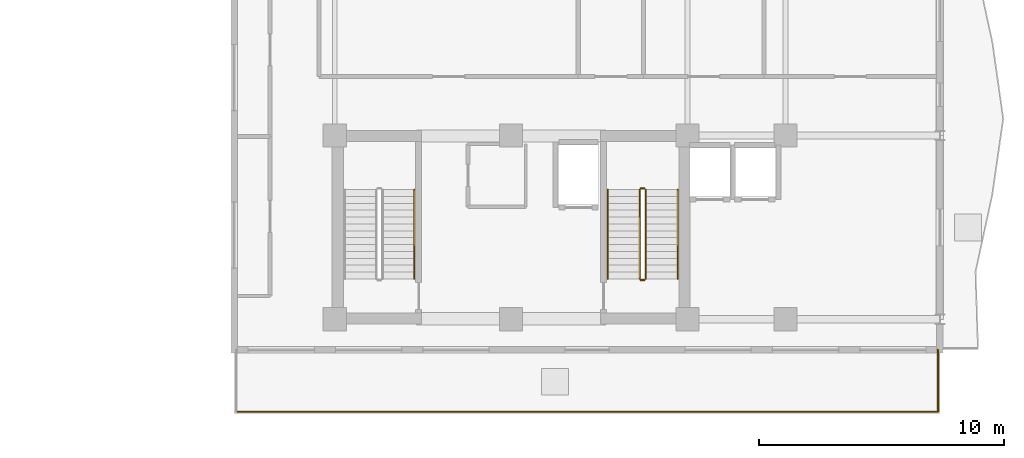
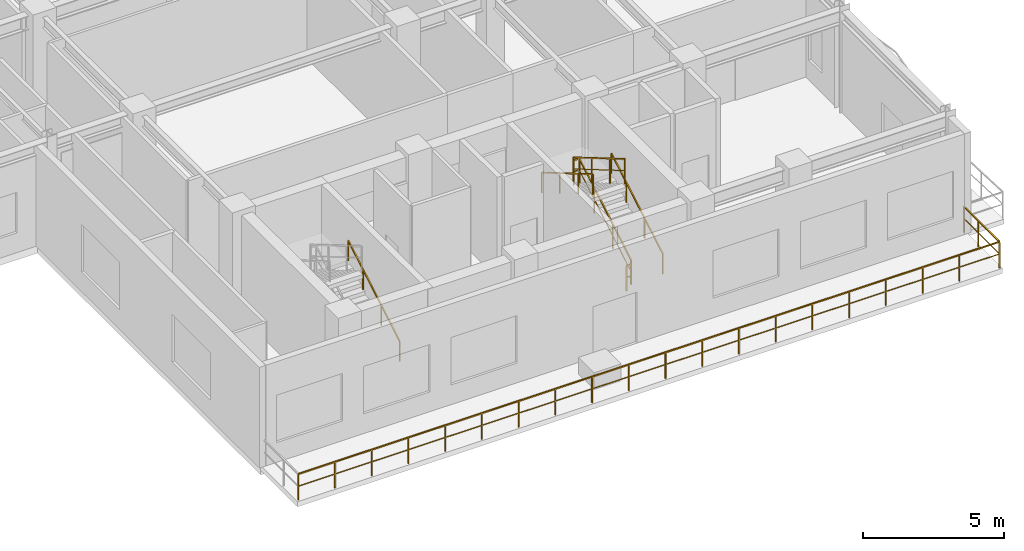
# One storey, part 13 of 14: 9 railings.
"""IFC4 building model written with IfcOpenShell, lengths in metres."""

from ifc_helpers import new_model, si_unit, direction, frame, origin, origin_2d, place, context, subcontext, project, spatial, rectangle, extrude, material, type_object, element, save


model = new_model("IFC4")

# Units and contexts
model_context = context("Model", 3, precision=1e-05, world=origin(), true_north=direction((0.0, 1.0)))
body_context = subcontext(model_context, "Body", "Model", "MODEL_VIEW")
ifc_project = project(units=[si_unit("LENGTHUNIT", "METRE"), si_unit("AREAUNIT", "SQUARE_METRE"), si_unit("VOLUMEUNIT", "CUBIC_METRE"), si_unit("PLANEANGLEUNIT", "RADIAN"), si_unit("MASSUNIT", "GRAM", prefix="KILO")], contexts=[model_context])

# Site, building, storey
site_placement = place(None, origin())
site = spatial("IfcSite", under=ifc_project, at=site_placement, CompositionType="ELEMENT")
building_placement = place(site_placement, origin())
building = spatial("IfcBuilding", under=site, at=building_placement, Name="Kaliganga Portal Commons", CompositionType="ELEMENT")
storey_placement = place(building_placement, frame((0.0, 0.0, 197.199951171875)))
storey = spatial("IfcBuildingStorey", under=building, at=storey_placement, Name="L50", CompositionType="ELEMENT", Elevation=197.199951171875)

# Railings
ifc_material_1 = material(Name="Laminated Safety Glass and Stainless Steel 316", Category="steel")
railing_type_1 = type_object("IfcRailingType", Name="RLG-BAL-1150", PredefinedType="BALUSTRADE", material=ifc_material_1)
railing_1_placement = place(storey_placement, frame((31.97998046875, 3.280029296875, 0.0)))
element("IfcRailing", 1, at=railing_1_placement, inside=storey, type_object=railing_type_1, Name="Terrace Guardrail L50 skygarden_l50-02-1", PredefinedType="BALUSTRADE", context=body_context, shape_type="SweptSolid", body=[
    extrude(rectangle(XDim=0.048095703125, YDim=0.048095703125, at=origin_2d()), frame((0.0, 0.0, 1.1259765625), z_axis=(1.0, 0.0, 0.0), x_axis=(0.0, 1.0, 0.0)), (0.0, 0.0, 1.0), 28.64013671875),
    extrude(rectangle(XDim=0.028076171875, YDim=0.028076171875, at=origin_2d()), frame((0.0, 0.0, 0.597900390625), z_axis=(1.0, 0.0, 0.0), x_axis=(0.0, 1.0, 0.0)), (0.0, 0.0, 1.0), 28.64013671875),
    extrude(rectangle(XDim=0.0419921875, YDim=0.0419921875, at=origin_2d()), origin(), (0.0, 0.0, 1.0), 1.101806640625),
    extrude(rectangle(XDim=0.0419921875, YDim=0.0419921875, at=origin_2d()), frame((1.5, 0.0, 0.0)), (0.0, 0.0, 1.0), 1.101806640625),
    extrude(rectangle(XDim=0.0419921875, YDim=0.0419921875, at=origin_2d()), frame((3.0, 0.0, 0.0)), (0.0, 0.0, 1.0), 1.101806640625),
    extrude(rectangle(XDim=0.0419921875, YDim=0.0419921875, at=origin_2d()), frame((4.5, 0.0, 0.0)), (0.0, 0.0, 1.0), 1.101806640625),
    extrude(rectangle(XDim=0.0419921875, YDim=0.0419921875, at=origin_2d()), frame((6.0, 0.0, 0.0)), (0.0, 0.0, 1.0), 1.101806640625),
    extrude(rectangle(XDim=0.0419921875, YDim=0.0419921875, at=origin_2d()), frame((7.5, 0.0, 0.0)), (0.0, 0.0, 1.0), 1.101806640625),
    extrude(rectangle(XDim=0.0419921875, YDim=0.0419921875, at=origin_2d()), frame((9.0, 0.0, 0.0)), (0.0, 0.0, 1.0), 1.101806640625),
    extrude(rectangle(XDim=0.0419921875, YDim=0.0419921875, at=origin_2d()), frame((10.5, 0.0, 0.0)), (0.0, 0.0, 1.0), 1.101806640625),
    extrude(rectangle(XDim=0.0419921875, YDim=0.0419921875, at=origin_2d()), frame((12.0, 0.0, 0.0)), (0.0, 0.0, 1.0), 1.101806640625),
    extrude(rectangle(XDim=0.0419921875, YDim=0.0419921875, at=origin_2d()), frame((13.5, 0.0, 0.0)), (0.0, 0.0, 1.0), 1.101806640625),
    extrude(rectangle(XDim=0.0419921875, YDim=0.0419921875, at=origin_2d()), frame((15.0, 0.0, 0.0)), (0.0, 0.0, 1.0), 1.101806640625),
    extrude(rectangle(XDim=0.0419921875, YDim=0.0419921875, at=origin_2d()), frame((16.5, 0.0, 0.0)), (0.0, 0.0, 1.0), 1.101806640625),
    extrude(rectangle(XDim=0.0419921875, YDim=0.0419921875, at=origin_2d()), frame((18.0, 0.0, 0.0)), (0.0, 0.0, 1.0), 1.101806640625),
    extrude(rectangle(XDim=0.0419921875, YDim=0.0419921875, at=origin_2d()), frame((19.5, 0.0, 0.0)), (0.0, 0.0, 1.0), 1.101806640625),
    extrude(rectangle(XDim=0.0419921875, YDim=0.0419921875, at=origin_2d()), frame((21.0, 0.0, 0.0)), (0.0, 0.0, 1.0), 1.101806640625),
    extrude(rectangle(XDim=0.0419921875, YDim=0.0419921875, at=origin_2d()), frame((22.5, 0.0, 0.0)), (0.0, 0.0, 1.0), 1.101806640625),
    extrude(rectangle(XDim=0.0419921875, YDim=0.0419921875, at=origin_2d()), frame((24.0, 0.0, 0.0)), (0.0, 0.0, 1.0), 1.101806640625),
    extrude(rectangle(XDim=0.0419921875, YDim=0.0419921875, at=origin_2d()), frame((25.5, 0.0, 0.0)), (0.0, 0.0, 1.0), 1.101806640625),
    extrude(rectangle(XDim=0.0419921875, YDim=0.0419921875, at=origin_2d()), frame((27.0, 0.0, 0.0)), (0.0, 0.0, 1.0), 1.101806640625),
    extrude(rectangle(XDim=0.0419921875, YDim=0.0419921875, at=origin_2d()), frame((28.64013671875, 0.0, 0.0)), (0.0, 0.0, 1.0), 1.101806640625),
])
railing_2_placement = place(storey_placement, frame((60.6201171875, 3.280029296875, 0.0)))
element("IfcRailing", 2, at=railing_2_placement, inside=storey, type_object=railing_type_1, Name="Terrace Guardrail L50 skygarden_l50-03-1", PredefinedType="BALUSTRADE", context=body_context, shape_type="SweptSolid", body=[
    extrude(rectangle(XDim=0.048095703125, YDim=0.048095703125, at=origin_2d()), frame((0.0, 0.0, 1.1259765625), z_axis=(0.0, 1.0, 0.0), x_axis=(-1.0, 0.0, 0.0)), (0.0, 0.0, 1.0), 2.52001953125),
    extrude(rectangle(XDim=0.028076171875, YDim=0.028076171875, at=origin_2d()), frame((0.0, 0.0, 0.597900390625), z_axis=(0.0, 1.0, 0.0), x_axis=(-1.0, 0.0, 0.0)), (0.0, 0.0, 1.0), 2.52001953125),
    extrude(rectangle(XDim=0.0419921875, YDim=0.0419921875, at=origin_2d()), origin(), (0.0, 0.0, 1.0), 1.101806640625),
    extrude(rectangle(XDim=0.0419921875, YDim=0.0419921875, at=origin_2d()), frame((0.0, 1.5, 0.0)), (0.0, 0.0, 1.0), 1.101806640625),
    extrude(rectangle(XDim=0.0419921875, YDim=0.0419921875, at=origin_2d()), frame((0.0, 2.52001953125, 0.0)), (0.0, 0.0, 1.0), 1.101806640625),
])
ifc_material_2 = material(Name="Galvanized Painted Steel Balustrade", Category="steel")
railing_type_2 = type_object("IfcRailingType", Name="RLG-STAIR-GRD", PredefinedType="GUARDRAIL", material=ifc_material_2)
railing_3_placement = place(storey_placement, frame((48.699951171875, 8.699951171875, 0.164306640625)))
element("IfcRailing", 3, at=railing_3_placement, inside=storey, type_object=railing_type_2, Name="L50 ST-B2 stair guard 1", PredefinedType="GUARDRAIL", context=body_context, shape_type="SweptSolid", body=[
    extrude(rectangle(XDim=0.048095703125, YDim=0.048095703125, at=origin_2d()), frame((0.0, 0.0, 1.072265625), z_axis=(0.0, 0.862504707072, 0.506049039401), x_axis=(-1.0, 0.0, 0.0)), (0.0, 0.0, 1.0), 4.220458984375),
    extrude(rectangle(XDim=0.028076171875, YDim=0.028076171875, at=origin_2d()), frame((0.0, 0.0, 0.572021484375), z_axis=(0.0, 0.862504707072, 0.506049039401), x_axis=(-1.0, 0.0, 0.0)), (0.0, 0.0, 1.0), 4.220458984375),
    extrude(rectangle(XDim=0.0419921875, YDim=0.0419921875, at=origin_2d()), origin(), (0.0, 0.0, 1.0), 1.052001953125),
    extrude(rectangle(XDim=0.0419921875, YDim=0.0419921875, at=origin_2d()), frame((0.0, 1.293701171875, 0.759033203125)), (0.0, 0.0, 1.0), 1.052001953125),
    extrude(rectangle(XDim=0.0419921875, YDim=0.0419921875, at=origin_2d()), frame((0.0, 2.58740234375, 1.51806640625)), (0.0, 0.0, 1.0), 1.052001953125),
    extrude(rectangle(XDim=0.0419921875, YDim=0.0419921875, at=origin_2d()), frame((0.0, 3.64013671875, 2.1357421875)), (0.0, 0.0, 1.0), 1.052001953125),
])
railing_4_placement = place(storey_placement, frame((48.64990234375, 12.389892578125, 2.300048828125)))
element("IfcRailing", 4, at=railing_4_placement, inside=storey, type_object=railing_type_2, Name="L50 ST-B2 stair guard 2", PredefinedType="GUARDRAIL", context=body_context, shape_type="SweptSolid", body=[
    extrude(rectangle(XDim=0.048095703125, YDim=0.048095703125, at=origin_2d()), frame((0.0, 0.0, 1.076171875), z_axis=(-1.0, 0.0, 0.0), x_axis=(0.0, -1.0, 0.0)), (0.0, 0.0, 1.0), 0.14990234375),
    extrude(rectangle(XDim=0.028076171875, YDim=0.028076171875, at=origin_2d()), frame((0.0, 0.0, 0.572021484375), z_axis=(-1.0, 0.0, 0.0), x_axis=(0.0, -1.0, 0.0)), (0.0, 0.0, 1.0), 0.14990234375),
    extrude(rectangle(XDim=0.0419921875, YDim=0.0419921875, at=origin_2d()), frame((-0.14990234375, 0.0, 0.0)), (0.0, 0.0, 1.0), 1.052001953125),
])
railing_5_placement = place(storey_placement, frame((48.449951171875, 12.340087890625, 2.46435546875)))
element("IfcRailing", 5, at=railing_5_placement, inside=storey, type_object=railing_type_2, Name="L50 ST-B2 stair guard 3", PredefinedType="GUARDRAIL", context=body_context, shape_type="SweptSolid", body=[
    extrude(rectangle(XDim=0.048095703125, YDim=0.048095703125, at=origin_2d()), frame((0.0, 0.0, 1.072265625), z_axis=(0.0, -0.862504707072, 0.506049039401), x_axis=(1.0, 0.0, 0.0)), (0.0, 0.0, 1.0), 4.220458984375),
    extrude(rectangle(XDim=0.028076171875, YDim=0.028076171875, at=origin_2d()), frame((0.0, 0.0, 0.572021484375), z_axis=(0.0, -0.862504707072, 0.506049039401), x_axis=(1.0, 0.0, 0.0)), (0.0, 0.0, 1.0), 4.220458984375),
    extrude(rectangle(XDim=0.0419921875, YDim=0.0419921875, at=origin_2d()), origin(), (0.0, 0.0, 1.0), 1.052001953125),
    extrude(rectangle(XDim=0.0419921875, YDim=0.0419921875, at=origin_2d()), frame((0.0, -1.293701171875, 0.759033203125)), (0.0, 0.0, 1.0), 1.052001953125),
    extrude(rectangle(XDim=0.0419921875, YDim=0.0419921875, at=origin_2d()), frame((0.0, -2.58740234375, 1.51806640625)), (0.0, 0.0, 1.0), 1.052001953125),
    extrude(rectangle(XDim=0.0419921875, YDim=0.0419921875, at=origin_2d()), frame((0.0, -3.64013671875, 2.1357421875)), (0.0, 0.0, 1.0), 1.052001953125),
])
railing_6_placement = place(storey_placement, frame((48.64990234375, 8.64990234375, 0.0)))
element("IfcRailing", 6, at=railing_6_placement, inside=storey, type_object=railing_type_2, Name="L50 ST-B2 stair guard 4", PredefinedType="GUARDRAIL", context=body_context, shape_type="SweptSolid", body=[
    extrude(rectangle(XDim=0.048095703125, YDim=0.048095703125, at=origin_2d()), frame((0.0, 0.0, 1.076171875), z_axis=(-1.0, 0.0, 0.0), x_axis=(0.0, -1.0, 0.0)), (0.0, 0.0, 1.0), 0.14990234375),
    extrude(rectangle(XDim=0.028076171875, YDim=0.028076171875, at=origin_2d()), frame((0.0, 0.0, 0.572021484375), z_axis=(-1.0, 0.0, 0.0), x_axis=(0.0, -1.0, 0.0)), (0.0, 0.0, 1.0), 0.14990234375),
    extrude(rectangle(XDim=0.0419921875, YDim=0.0419921875, at=origin_2d()), frame((-0.14990234375, 0.0, 0.0)), (0.0, 0.0, 1.0), 1.052001953125),
])
ifc_material_3 = material(Name="Brushed Stainless Steel 316", Category="steel")
railing_type_3 = type_object("IfcRailingType", Name="RLG-STAIR-HR", PredefinedType="HANDRAIL", material=ifc_material_3)
for number, where, name in (
    (7, (39.25, 8.699951171875, 0.164306640625), "L50 ST-B1 stair handrail 1"),
    (8, (50.0, 8.699951171875, 0.164306640625), "L50 ST-B2 stair handrail 1"),
):
    element("IfcRailing", number, at=place(storey_placement, frame(where)), inside=storey, type_object=railing_type_3, Name=name, PredefinedType="HANDRAIL", context=body_context, shape_type="SweptSolid", body=[
        extrude(rectangle(XDim=0.048095703125, YDim=0.048095703125, at=origin_2d()), frame((0.0, 0.0, 0.8720703125), z_axis=(0.0, 0.862504707072, 0.506049039401), x_axis=(-1.0, 0.0, 0.0)), (0.0, 0.0, 1.0), 4.220458984375),
        extrude(rectangle(XDim=0.0419921875, YDim=0.0419921875, at=origin_2d()), origin(), (0.0, 0.0, 1.0), 0.851806640625),
        extrude(rectangle(XDim=0.0419921875, YDim=0.0419921875, at=origin_2d()), frame((0.0, 1.293701171875, 0.759033203125)), (0.0, 0.0, 1.0), 0.851806640625),
        extrude(rectangle(XDim=0.0419921875, YDim=0.0419921875, at=origin_2d()), frame((0.0, 2.58740234375, 1.51806640625)), (0.0, 0.0, 1.0), 0.851806640625),
        extrude(rectangle(XDim=0.0419921875, YDim=0.0419921875, at=origin_2d()), frame((0.0, 3.64013671875, 2.1357421875)), (0.0, 0.0, 1.0), 0.851806640625),
    ])
railing_7_placement = place(storey_placement, frame((47.14990234375, 12.340087890625, 2.46435546875)))
element("IfcRailing", 9, at=railing_7_placement, inside=storey, type_object=railing_type_3, Name="L50 ST-B2 stair handrail 2", PredefinedType="HANDRAIL", context=body_context, shape_type="SweptSolid", body=[
    extrude(rectangle(XDim=0.048095703125, YDim=0.048095703125, at=origin_2d()), frame((0.0, 0.0, 0.8720703125), z_axis=(0.0, -0.862504707072, 0.506049039401), x_axis=(1.0, 0.0, 0.0)), (0.0, 0.0, 1.0), 4.220458984375),
    extrude(rectangle(XDim=0.0419921875, YDim=0.0419921875, at=origin_2d()), origin(), (0.0, 0.0, 1.0), 0.851806640625),
    extrude(rectangle(XDim=0.0419921875, YDim=0.0419921875, at=origin_2d()), frame((0.0, -1.293701171875, 0.759033203125)), (0.0, 0.0, 1.0), 0.851806640625),
    extrude(rectangle(XDim=0.0419921875, YDim=0.0419921875, at=origin_2d()), frame((0.0, -2.58740234375, 1.51806640625)), (0.0, 0.0, 1.0), 0.851806640625),
    extrude(rectangle(XDim=0.0419921875, YDim=0.0419921875, at=origin_2d()), frame((0.0, -3.64013671875, 2.1357421875)), (0.0, 0.0, 1.0), 0.851806640625),
])

save(model, "model.ifc")
